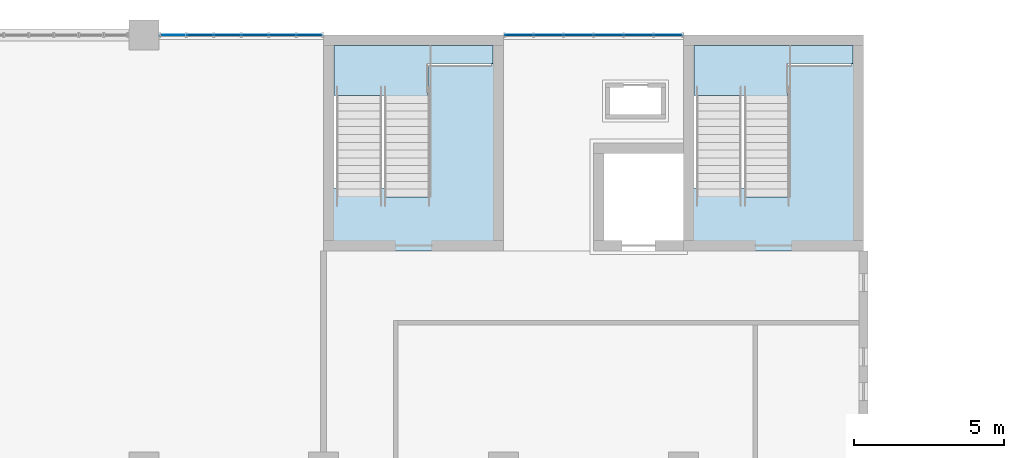
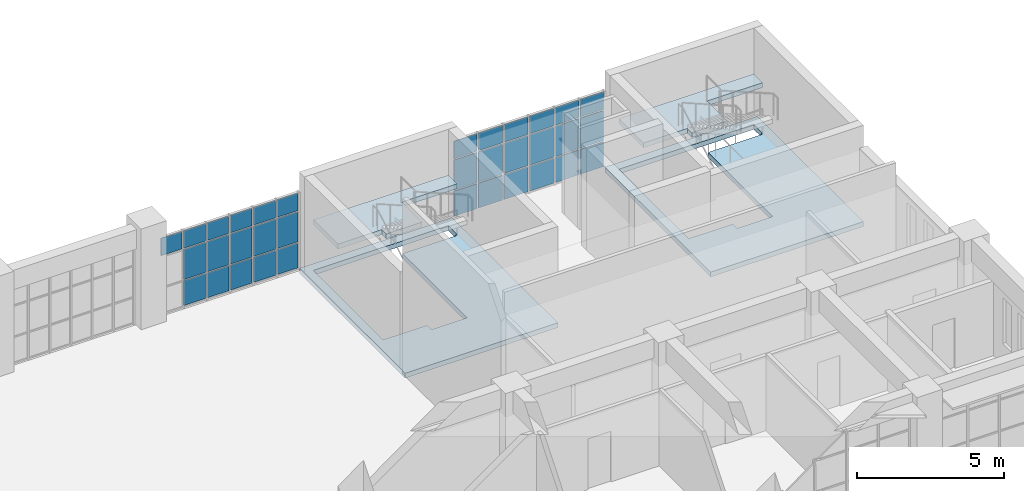
# One storey, part 58 of 92: 34 plates, 4 slabs, 4 elements without a shape of their own.
"""IFC4 building model written with IfcOpenShell, lengths in metres."""

from ifc_helpers import new_model, si_unit, direction, frame, origin, origin_2d, place, context, subcontext, project, spatial, polyline, rectangle, outline, extrude, material, layer, layer_set, type_object, element, aggregate, save


model = new_model("IFC4")

# Units and contexts
model_context = context("Model", 3, precision=1e-05, world=origin(), true_north=direction((0.0, 1.0)))
body_context = subcontext(model_context, "Body", "Model", "MODEL_VIEW")
ifc_project = project(units=[si_unit("LENGTHUNIT", "METRE"), si_unit("AREAUNIT", "SQUARE_METRE"), si_unit("VOLUMEUNIT", "CUBIC_METRE"), si_unit("PLANEANGLEUNIT", "RADIAN"), si_unit("MASSUNIT", "GRAM", prefix="KILO")], contexts=[model_context])

# Site, building, storey
site_placement = place(None, origin())
site = spatial("IfcSite", under=ifc_project, at=site_placement, CompositionType="ELEMENT")
building_placement = place(site_placement, origin())
building = spatial("IfcBuilding", under=site, at=building_placement, Name="Laocheng Heights Fire and Rescue Headquarters", CompositionType="ELEMENT")
storey_placement = place(building_placement, frame((0.0, 0.0, 12.60009765625)))
storey = spatial("IfcBuildingStorey", under=building, at=storey_placement, Name="L03", CompositionType="ELEMENT", Elevation=12.60009765625)

# Curtain wall, plates
ifc_material_1 = material(Name="Dark anodised aluminium unitised curtain wall, low-e double glazing", Category="aluminium")
curtain_wall_type_1 = type_object("IfcCurtainWallType", Name="CW 5500 x 3200 HQ CONTROL ROOM FACE", PredefinedType="NOTDEFINED", material=ifc_material_1)
curtain_wall_1_placement = place(storey_placement, origin())
curtain_wall_1 = element("IfcCurtainWall", 1, at=curtain_wall_1_placement, inside=storey, type_object=curtain_wall_type_1, Name="X22-X HQ NORTH L03", PredefinedType="NOTDEFINED")
ifc_material_2 = material(Name="Laminated safety glass, low-e double glazed unit", Category="glass")
ifc_layer_1 = layer(ifc_material_2, 0.0400390625)
ifc_layer_set_1 = layer_set([ifc_layer_1], Name="Laminated safety glass, low-e double glazed unit")
plate_type_1 = type_object("IfcPlateType", Name="CW LAMINATED SAFETY PANEL 40 X", PredefinedType="CURTAIN_PANEL", material=ifc_layer_set_1)
plate_1_placement = place(storey_placement, frame((61.875, 72.0, 0.050048828125), z_axis=(0.0, 0.0, 1.0), x_axis=(1.0, 0.0, 0.0)))
plate_1 = element("IfcPlate", 2, at=plate_1_placement, type_object=plate_type_1, Name="X22-X panel 2.1", PredefinedType="CURTAIN_PANEL", context=body_context, shape_type="SweptSolid", body=[
    extrude(rectangle(XDim=0.856689453125, YDim=0.0400390625, at=origin_2d()), origin(), (0.0, 0.0, 1.0), 1.02490234375),
])
plate_2_placement = place(storey_placement, frame((62.791748046875, 72.0, 0.050048828125), z_axis=(0.0, 0.0, 1.0), x_axis=(1.0, 0.0, 0.0)))
plate_2 = element("IfcPlate", 3, at=plate_2_placement, type_object=plate_type_1, Name="X22-X panel 3.1", PredefinedType="CURTAIN_PANEL", context=body_context, shape_type="SweptSolid", body=[
    extrude(rectangle(XDim=0.856689453125, YDim=0.0400390625, at=origin_2d()), origin(), (0.0, 0.0, 1.0), 1.02490234375),
])
plate_3_placement = place(storey_placement, frame((63.708251953125, 72.0, 0.050048828125), z_axis=(0.0, 0.0, 1.0), x_axis=(1.0, 0.0, 0.0)))
plate_3 = element("IfcPlate", 4, at=plate_3_placement, type_object=plate_type_1, Name="X22-X panel 4.1", PredefinedType="CURTAIN_PANEL", context=body_context, shape_type="SweptSolid", body=[
    extrude(rectangle(XDim=0.856689453125, YDim=0.0400390625, at=origin_2d()), origin(), (0.0, 0.0, 1.0), 1.02490234375),
])
plate_4_placement = place(storey_placement, frame((64.625, 72.0, 0.050048828125), z_axis=(0.0, 0.0, 1.0), x_axis=(1.0, 0.0, 0.0)))
plate_4 = element("IfcPlate", 5, at=plate_4_placement, type_object=plate_type_1, Name="X22-X panel 5.1", PredefinedType="CURTAIN_PANEL", context=body_context, shape_type="SweptSolid", body=[
    extrude(rectangle(XDim=0.856689453125, YDim=0.0400390625, at=origin_2d()), origin(), (0.0, 0.0, 1.0), 1.02490234375),
])
plate_5_placement = place(storey_placement, frame((65.526611328125, 72.0, 0.050048828125), z_axis=(0.0, 0.0, 1.0), x_axis=(1.0, 0.0, 0.0)))
plate_5 = element("IfcPlate", 6, at=plate_5_placement, type_object=plate_type_1, Name="X22-X panel 6.1", PredefinedType="CURTAIN_PANEL", context=body_context, shape_type="SweptSolid", body=[
    extrude(rectangle(XDim=0.82666015625, YDim=0.0400390625, at=origin_2d()), origin(), (0.0, 0.0, 1.0), 1.02490234375),
])

ifc_material_3 = material(Name="Dark anodised aluminium unitised curtain wall, low-e double glazing", Category="aluminium")
curtain_wall_type_2 = type_object("IfcCurtainWallType", Name="CW 6000 x 3200 HQ CONTROL ROOM FACE", PredefinedType="NOTDEFINED", material=ifc_material_3)
curtain_wall_2_placement = place(storey_placement, origin())
curtain_wall_2 = element("IfcCurtainWall", 7, at=curtain_wall_2_placement, inside=storey, type_object=curtain_wall_type_2, Name="X23-X HQ NORTH L03", PredefinedType="NOTDEFINED")
plate_6_placement = place(storey_placement, frame((72.514892578125, 72.0, 0.050048828125), z_axis=(0.0, 0.0, 1.0), x_axis=(1.0, 0.0, 0.0)))
plate_6 = element("IfcPlate", 8, at=plate_6_placement, type_object=plate_type_1, Name="X23-X panel 1.1", PredefinedType="CURTAIN_PANEL", context=body_context, shape_type="SweptSolid", body=[
    extrude(rectangle(XDim=0.909912109375, YDim=0.0400390625, at=origin_2d()), origin(), (0.0, 0.0, 1.0), 1.02490234375),
])
plate_7_placement = place(storey_placement, frame((73.5, 72.0, 0.050048828125), z_axis=(0.0, 0.0, 1.0), x_axis=(1.0, 0.0, 0.0)))
plate_7 = element("IfcPlate", 9, at=plate_7_placement, type_object=plate_type_1, Name="X23-X panel 2.1", PredefinedType="CURTAIN_PANEL", context=body_context, shape_type="SweptSolid", body=[
    extrude(rectangle(XDim=0.93994140625, YDim=0.0400390625, at=origin_2d()), origin(), (0.0, 0.0, 1.0), 1.02490234375),
])
plate_8_placement = place(storey_placement, frame((74.5, 72.0, 0.050048828125), z_axis=(0.0, 0.0, 1.0), x_axis=(1.0, 0.0, 0.0)))
plate_8 = element("IfcPlate", 10, at=plate_8_placement, type_object=plate_type_1, Name="X23-X panel 3.1", PredefinedType="CURTAIN_PANEL", context=body_context, shape_type="SweptSolid", body=[
    extrude(rectangle(XDim=0.93994140625, YDim=0.0400390625, at=origin_2d()), origin(), (0.0, 0.0, 1.0), 1.02490234375),
])
plate_9_placement = place(storey_placement, frame((75.5, 72.0, 0.050048828125), z_axis=(0.0, 0.0, 1.0), x_axis=(1.0, 0.0, 0.0)))
plate_9 = element("IfcPlate", 11, at=plate_9_placement, type_object=plate_type_1, Name="X23-X panel 4.1", PredefinedType="CURTAIN_PANEL", context=body_context, shape_type="SweptSolid", body=[
    extrude(rectangle(XDim=0.93994140625, YDim=0.0400390625, at=origin_2d()), origin(), (0.0, 0.0, 1.0), 1.02490234375),
])
plate_10_placement = place(storey_placement, frame((76.5, 72.0, 0.050048828125), z_axis=(0.0, 0.0, 1.0), x_axis=(1.0, 0.0, 0.0)))
plate_10 = element("IfcPlate", 12, at=plate_10_placement, type_object=plate_type_1, Name="X23-X panel 5.1", PredefinedType="CURTAIN_PANEL", context=body_context, shape_type="SweptSolid", body=[
    extrude(rectangle(XDim=0.93994140625, YDim=0.0400390625, at=origin_2d()), origin(), (0.0, 0.0, 1.0), 1.02490234375),
])
plate_11_placement = place(storey_placement, frame((77.485107421875, 72.0, 0.050048828125), z_axis=(0.0, 0.0, 1.0), x_axis=(1.0, 0.0, 0.0)))
plate_11 = element("IfcPlate", 13, at=plate_11_placement, type_object=plate_type_1, Name="X23-X panel 6.1", PredefinedType="CURTAIN_PANEL", context=body_context, shape_type="SweptSolid", body=[
    extrude(rectangle(XDim=0.909912109375, YDim=0.0400390625, at=origin_2d()), origin(), (0.0, 0.0, 1.0), 1.02490234375),
])

# Plate
ifc_material_4 = material(Name="Low-e double glazed unit, laminated inner pane")
ifc_layer_2 = layer(ifc_material_4, 0.028076171875)
ifc_layer_set_2 = layer_set([ifc_layer_2], Name="Low-e double glazed unit, laminated inner pane")
plate_type_2 = type_object("IfcPlateType", Name="CW VISION PANEL 28 X", PredefinedType="CURTAIN_PANEL", material=ifc_layer_set_2)
plate_12_placement = place(storey_placement, frame((60.973388671875, 72.0, 2.4248046875), z_axis=(0.0, 0.0, 1.0), x_axis=(1.0, 0.0, 0.0)))
plate_12 = element("IfcPlate", 14, at=plate_12_placement, type_object=plate_type_2, Name="X22-X panel 1.3", PredefinedType="CURTAIN_PANEL", context=body_context, shape_type="SweptSolid", body=[
    extrude(rectangle(XDim=0.82666015625, YDim=0.028076171875, at=origin_2d()), origin(), (0.0, 0.0, 1.0), 0.72509765625),
])

plate_13_placement = place(storey_placement, frame((61.875, 72.0, 1.125), z_axis=(0.0, 0.0, 1.0), x_axis=(1.0, 0.0, 0.0)))
plate_13 = element("IfcPlate", 15, at=plate_13_placement, type_object=plate_type_2, Name="X22-X panel 2.2", PredefinedType="CURTAIN_PANEL", context=body_context, shape_type="SweptSolid", body=[
    extrude(rectangle(XDim=0.856689453125, YDim=0.028076171875, at=origin_2d()), origin(), (0.0, 0.0, 1.0), 1.25),
])

plate_14_placement = place(storey_placement, frame((61.875, 72.0, 2.4248046875), z_axis=(0.0, 0.0, 1.0), x_axis=(1.0, 0.0, 0.0)))
plate_14 = element("IfcPlate", 16, at=plate_14_placement, type_object=plate_type_2, Name="X22-X panel 2.3", PredefinedType="CURTAIN_PANEL", context=body_context, shape_type="SweptSolid", body=[
    extrude(rectangle(XDim=0.856689453125, YDim=0.028076171875, at=origin_2d()), origin(), (0.0, 0.0, 1.0), 0.72509765625),
])

plate_15_placement = place(storey_placement, frame((62.791748046875, 72.0, 1.125), z_axis=(0.0, 0.0, 1.0), x_axis=(1.0, 0.0, 0.0)))
plate_15 = element("IfcPlate", 17, at=plate_15_placement, type_object=plate_type_2, Name="X22-X panel 3.2", PredefinedType="CURTAIN_PANEL", context=body_context, shape_type="SweptSolid", body=[
    extrude(rectangle(XDim=0.856689453125, YDim=0.028076171875, at=origin_2d()), origin(), (0.0, 0.0, 1.0), 1.25),
])

plate_16_placement = place(storey_placement, frame((62.791748046875, 72.0, 2.4248046875), z_axis=(0.0, 0.0, 1.0), x_axis=(1.0, 0.0, 0.0)))
plate_16 = element("IfcPlate", 18, at=plate_16_placement, type_object=plate_type_2, Name="X22-X panel 3.3", PredefinedType="CURTAIN_PANEL", context=body_context, shape_type="SweptSolid", body=[
    extrude(rectangle(XDim=0.856689453125, YDim=0.028076171875, at=origin_2d()), origin(), (0.0, 0.0, 1.0), 0.72509765625),
])

plate_17_placement = place(storey_placement, frame((63.708251953125, 72.0, 1.125), z_axis=(0.0, 0.0, 1.0), x_axis=(1.0, 0.0, 0.0)))
plate_17 = element("IfcPlate", 19, at=plate_17_placement, type_object=plate_type_2, Name="X22-X panel 4.2", PredefinedType="CURTAIN_PANEL", context=body_context, shape_type="SweptSolid", body=[
    extrude(rectangle(XDim=0.856689453125, YDim=0.028076171875, at=origin_2d()), origin(), (0.0, 0.0, 1.0), 1.25),
])

plate_18_placement = place(storey_placement, frame((63.708251953125, 72.0, 2.4248046875), z_axis=(0.0, 0.0, 1.0), x_axis=(1.0, 0.0, 0.0)))
plate_18 = element("IfcPlate", 20, at=plate_18_placement, type_object=plate_type_2, Name="X22-X panel 4.3", PredefinedType="CURTAIN_PANEL", context=body_context, shape_type="SweptSolid", body=[
    extrude(rectangle(XDim=0.856689453125, YDim=0.028076171875, at=origin_2d()), origin(), (0.0, 0.0, 1.0), 0.72509765625),
])

plate_19_placement = place(storey_placement, frame((64.625, 72.0, 1.125), z_axis=(0.0, 0.0, 1.0), x_axis=(1.0, 0.0, 0.0)))
plate_19 = element("IfcPlate", 21, at=plate_19_placement, type_object=plate_type_2, Name="X22-X panel 5.2", PredefinedType="CURTAIN_PANEL", context=body_context, shape_type="SweptSolid", body=[
    extrude(rectangle(XDim=0.856689453125, YDim=0.028076171875, at=origin_2d()), origin(), (0.0, 0.0, 1.0), 1.25),
])

plate_20_placement = place(storey_placement, frame((64.625, 72.0, 2.4248046875), z_axis=(0.0, 0.0, 1.0), x_axis=(1.0, 0.0, 0.0)))
plate_20 = element("IfcPlate", 22, at=plate_20_placement, type_object=plate_type_2, Name="X22-X panel 5.3", PredefinedType="CURTAIN_PANEL", context=body_context, shape_type="SweptSolid", body=[
    extrude(rectangle(XDim=0.856689453125, YDim=0.028076171875, at=origin_2d()), origin(), (0.0, 0.0, 1.0), 0.72509765625),
])

plate_21_placement = place(storey_placement, frame((65.526611328125, 72.0, 1.125), z_axis=(0.0, 0.0, 1.0), x_axis=(1.0, 0.0, 0.0)))
plate_21 = element("IfcPlate", 23, at=plate_21_placement, type_object=plate_type_2, Name="X22-X panel 6.2", PredefinedType="CURTAIN_PANEL", context=body_context, shape_type="SweptSolid", body=[
    extrude(rectangle(XDim=0.82666015625, YDim=0.028076171875, at=origin_2d()), origin(), (0.0, 0.0, 1.0), 1.25),
])

plate_22_placement = place(storey_placement, frame((65.526611328125, 72.0, 2.4248046875), z_axis=(0.0, 0.0, 1.0), x_axis=(1.0, 0.0, 0.0)))
plate_22 = element("IfcPlate", 24, at=plate_22_placement, type_object=plate_type_2, Name="X22-X panel 6.3", PredefinedType="CURTAIN_PANEL", context=body_context, shape_type="SweptSolid", body=[
    extrude(rectangle(XDim=0.82666015625, YDim=0.028076171875, at=origin_2d()), origin(), (0.0, 0.0, 1.0), 0.72509765625),
])

aggregate(curtain_wall_1, [plate_12, plate_1, plate_13, plate_14, plate_2, plate_15, plate_16, plate_3, plate_17, plate_18, plate_4, plate_19, plate_20, plate_5, plate_21, plate_22])

plate_23_placement = place(storey_placement, frame((72.514892578125, 72.0, 1.125), z_axis=(0.0, 0.0, 1.0), x_axis=(1.0, 0.0, 0.0)))
plate_23 = element("IfcPlate", 25, at=plate_23_placement, type_object=plate_type_2, Name="X23-X panel 1.2", PredefinedType="CURTAIN_PANEL", context=body_context, shape_type="SweptSolid", body=[
    extrude(rectangle(XDim=0.909912109375, YDim=0.028076171875, at=origin_2d()), origin(), (0.0, 0.0, 1.0), 1.25),
])

plate_24_placement = place(storey_placement, frame((72.514892578125, 72.0, 2.4248046875), z_axis=(0.0, 0.0, 1.0), x_axis=(1.0, 0.0, 0.0)))
plate_24 = element("IfcPlate", 26, at=plate_24_placement, type_object=plate_type_2, Name="X23-X panel 1.3", PredefinedType="CURTAIN_PANEL", context=body_context, shape_type="SweptSolid", body=[
    extrude(rectangle(XDim=0.909912109375, YDim=0.028076171875, at=origin_2d()), origin(), (0.0, 0.0, 1.0), 0.72509765625),
])

plate_25_placement = place(storey_placement, frame((73.5, 72.0, 1.125), z_axis=(0.0, 0.0, 1.0), x_axis=(1.0, 0.0, 0.0)))
plate_25 = element("IfcPlate", 27, at=plate_25_placement, type_object=plate_type_2, Name="X23-X panel 2.2", PredefinedType="CURTAIN_PANEL", context=body_context, shape_type="SweptSolid", body=[
    extrude(rectangle(XDim=0.93994140625, YDim=0.028076171875, at=origin_2d()), origin(), (0.0, 0.0, 1.0), 1.25),
])

plate_26_placement = place(storey_placement, frame((73.5, 72.0, 2.4248046875), z_axis=(0.0, 0.0, 1.0), x_axis=(1.0, 0.0, 0.0)))
plate_26 = element("IfcPlate", 28, at=plate_26_placement, type_object=plate_type_2, Name="X23-X panel 2.3", PredefinedType="CURTAIN_PANEL", context=body_context, shape_type="SweptSolid", body=[
    extrude(rectangle(XDim=0.93994140625, YDim=0.028076171875, at=origin_2d()), origin(), (0.0, 0.0, 1.0), 0.72509765625),
])

plate_27_placement = place(storey_placement, frame((74.5, 72.0, 1.125), z_axis=(0.0, 0.0, 1.0), x_axis=(1.0, 0.0, 0.0)))
plate_27 = element("IfcPlate", 29, at=plate_27_placement, type_object=plate_type_2, Name="X23-X panel 3.2", PredefinedType="CURTAIN_PANEL", context=body_context, shape_type="SweptSolid", body=[
    extrude(rectangle(XDim=0.93994140625, YDim=0.028076171875, at=origin_2d()), origin(), (0.0, 0.0, 1.0), 1.25),
])

plate_28_placement = place(storey_placement, frame((74.5, 72.0, 2.4248046875), z_axis=(0.0, 0.0, 1.0), x_axis=(1.0, 0.0, 0.0)))
plate_28 = element("IfcPlate", 30, at=plate_28_placement, type_object=plate_type_2, Name="X23-X panel 3.3", PredefinedType="CURTAIN_PANEL", context=body_context, shape_type="SweptSolid", body=[
    extrude(rectangle(XDim=0.93994140625, YDim=0.028076171875, at=origin_2d()), origin(), (0.0, 0.0, 1.0), 0.72509765625),
])

plate_29_placement = place(storey_placement, frame((75.5, 72.0, 1.125), z_axis=(0.0, 0.0, 1.0), x_axis=(1.0, 0.0, 0.0)))
plate_29 = element("IfcPlate", 31, at=plate_29_placement, type_object=plate_type_2, Name="X23-X panel 4.2", PredefinedType="CURTAIN_PANEL", context=body_context, shape_type="SweptSolid", body=[
    extrude(rectangle(XDim=0.93994140625, YDim=0.028076171875, at=origin_2d()), origin(), (0.0, 0.0, 1.0), 1.25),
])

plate_30_placement = place(storey_placement, frame((75.5, 72.0, 2.4248046875), z_axis=(0.0, 0.0, 1.0), x_axis=(1.0, 0.0, 0.0)))
plate_30 = element("IfcPlate", 32, at=plate_30_placement, type_object=plate_type_2, Name="X23-X panel 4.3", PredefinedType="CURTAIN_PANEL", context=body_context, shape_type="SweptSolid", body=[
    extrude(rectangle(XDim=0.93994140625, YDim=0.028076171875, at=origin_2d()), origin(), (0.0, 0.0, 1.0), 0.72509765625),
])

plate_31_placement = place(storey_placement, frame((76.5, 72.0, 1.125), z_axis=(0.0, 0.0, 1.0), x_axis=(1.0, 0.0, 0.0)))
plate_31 = element("IfcPlate", 33, at=plate_31_placement, type_object=plate_type_2, Name="X23-X panel 5.2", PredefinedType="CURTAIN_PANEL", context=body_context, shape_type="SweptSolid", body=[
    extrude(rectangle(XDim=0.93994140625, YDim=0.028076171875, at=origin_2d()), origin(), (0.0, 0.0, 1.0), 1.25),
])

plate_32_placement = place(storey_placement, frame((76.5, 72.0, 2.4248046875), z_axis=(0.0, 0.0, 1.0), x_axis=(1.0, 0.0, 0.0)))
plate_32 = element("IfcPlate", 34, at=plate_32_placement, type_object=plate_type_2, Name="X23-X panel 5.3", PredefinedType="CURTAIN_PANEL", context=body_context, shape_type="SweptSolid", body=[
    extrude(rectangle(XDim=0.93994140625, YDim=0.028076171875, at=origin_2d()), origin(), (0.0, 0.0, 1.0), 0.72509765625),
])

plate_33_placement = place(storey_placement, frame((77.485107421875, 72.0, 1.125), z_axis=(0.0, 0.0, 1.0), x_axis=(1.0, 0.0, 0.0)))
plate_33 = element("IfcPlate", 35, at=plate_33_placement, type_object=plate_type_2, Name="X23-X panel 6.2", PredefinedType="CURTAIN_PANEL", context=body_context, shape_type="SweptSolid", body=[
    extrude(rectangle(XDim=0.909912109375, YDim=0.028076171875, at=origin_2d()), origin(), (0.0, 0.0, 1.0), 1.25),
])

plate_34_placement = place(storey_placement, frame((77.485107421875, 72.0, 2.4248046875), z_axis=(0.0, 0.0, 1.0), x_axis=(1.0, 0.0, 0.0)))
plate_34 = element("IfcPlate", 36, at=plate_34_placement, type_object=plate_type_2, Name="X23-X panel 6.3", PredefinedType="CURTAIN_PANEL", context=body_context, shape_type="SweptSolid", body=[
    extrude(rectangle(XDim=0.909912109375, YDim=0.028076171875, at=origin_2d()), origin(), (0.0, 0.0, 1.0), 0.72509765625),
])

aggregate(curtain_wall_2, [plate_6, plate_23, plate_24, plate_7, plate_25, plate_26, plate_8, plate_27, plate_28, plate_9, plate_29, plate_30, plate_10, plate_31, plate_32, plate_11, plate_33, plate_34])

# Stair, slab
ifc_material_5 = material(Name="Concrete C40", Category="concrete")
stair_type = type_object("IfcStairType", Name="RC STAIR 1400 TWO FLIGHTS 28 RISERS OF 150 GOING 260", PredefinedType="HALF_TURN_STAIR", material=ifc_material_5)
stair_1_placement = place(storey_placement, origin())
stair_1 = element("IfcStair", 37, at=stair_1_placement, inside=storey, type_object=stair_type, Name="Stair H2 (L03 to L04)", PredefinedType="HALF_TURN_STAIR")
ifc_material_6 = material(Name="Concrete C40", Category="concrete")
ifc_layer_3 = layer(ifc_material_6, 0.199951171875)
ifc_layer_set_3 = layer_set([ifc_layer_3], Name="Concrete C40")
slab_type_1 = type_object("IfcSlabType", Name="STAIR FLOOR LANDING 200", PredefinedType="LANDING", material=ifc_layer_set_3)
slab_1_placement = place(storey_placement, frame((0.0, 0.0, -0.2001953125)))
slab_1 = element("IfcSlab", 38, at=slab_1_placement, type_object=slab_type_1, Name="Stair H2 floor landing L03", PredefinedType="LANDING", context=body_context, shape_type="SweptSolid", body=[
    extrude(outline(polyline([(78.0, 72.0), (84.0, 72.0), (84.0, 64.800048828125), (78.0, 64.800048828125), (78.0, 72.0)]), holes=[polyline([(80.074951171875, 66.900146484375), (80.074951171875, 66.60302734375), (81.47509765625, 66.60302734375), (81.47509765625, 69.679931640625), (81.47509765625, 71.0), (83.60009765625, 71.0), (83.60009765625, 71.050048828125), (83.64990234375, 71.050048828125), (83.64990234375, 71.64990234375), (81.47509765625, 71.64990234375), (80.074951171875, 71.64990234375), (78.35009765625, 71.64990234375), (78.35009765625, 69.97705078125), (78.35009765625, 66.900146484375), (80.074951171875, 66.900146484375)])]), origin(), (0.0, 0.0, 1.0), 0.2001953125),
])

stair_2_placement = place(storey_placement, origin())
stair_2 = element("IfcStair", 39, at=stair_2_placement, inside=storey, type_object=stair_type, Name="Stair H3 (L03 to L04)", PredefinedType="HALF_TURN_STAIR")
slab_2_placement = place(storey_placement, frame((0.0, 0.0, -0.2001953125)))
slab_2 = element("IfcSlab", 40, at=slab_2_placement, type_object=slab_type_1, Name="Stair H3 floor landing L03", PredefinedType="LANDING", context=body_context, shape_type="SweptSolid", body=[
    extrude(outline(polyline([(66.0, 72.0), (72.0, 72.0), (72.0, 64.800048828125), (66.0, 64.800048828125), (66.0, 72.0)]), holes=[polyline([(68.074951171875, 66.900146484375), (68.074951171875, 66.60302734375), (69.47509765625, 66.60302734375), (69.47509765625, 69.679931640625), (69.47509765625, 71.0), (71.60009765625, 71.0), (71.60009765625, 71.050048828125), (71.64990234375, 71.050048828125), (71.64990234375, 71.64990234375), (69.47509765625, 71.64990234375), (68.074951171875, 71.64990234375), (66.35009765625, 71.64990234375), (66.35009765625, 69.97705078125), (66.35009765625, 66.900146484375), (68.074951171875, 66.900146484375)])]), origin(), (0.0, 0.0, 1.0), 0.2001953125),
])

# Slab
ifc_material_7 = material(Name="Concrete C40", Category="concrete")
ifc_layer_4 = layer(ifc_material_7, 0.201904296875)
ifc_layer_set_4 = layer_set([ifc_layer_4], Name="Concrete C40")
slab_type_2 = type_object("IfcSlabType", Name="STAIR HALF LANDING 202", PredefinedType="LANDING", material=ifc_layer_set_4)
slab_3_placement = place(storey_placement, frame((0.0, 0.0, 1.89990234375)))
slab_3 = element("IfcSlab", 41, at=slab_3_placement, type_object=slab_type_2, Name="H2-L03 landing 1", PredefinedType="LANDING", context=body_context, shape_type="SweptSolid", body=[
    extrude(outline(polyline([(83.64990234375, 71.050048828125), (83.64990234375, 71.64990234375), (81.47509765625, 71.64990234375), (80.074951171875, 71.64990234375), (78.35009765625, 71.64990234375), (78.35009765625, 69.97705078125), (80.074951171875, 69.97705078125), (80.074951171875, 69.679931640625), (81.47509765625, 69.679931640625), (81.47509765625, 71.050048828125), (83.64990234375, 71.050048828125)])), origin(), (0.0, 0.0, 1.0), 0.201904296875),
])

aggregate(stair_1, [slab_3, slab_1])

slab_4_placement = place(storey_placement, frame((0.0, 0.0, 1.89990234375)))
slab_4 = element("IfcSlab", 42, at=slab_4_placement, type_object=slab_type_2, Name="H3-L03 landing 1", PredefinedType="LANDING", context=body_context, shape_type="SweptSolid", body=[
    extrude(outline(polyline([(71.64990234375, 71.050048828125), (71.64990234375, 71.64990234375), (69.47509765625, 71.64990234375), (68.074951171875, 71.64990234375), (66.35009765625, 71.64990234375), (66.35009765625, 69.97705078125), (68.074951171875, 69.97705078125), (68.074951171875, 69.679931640625), (69.47509765625, 69.679931640625), (69.47509765625, 71.050048828125), (71.64990234375, 71.050048828125)])), origin(), (0.0, 0.0, 1.0), 0.201904296875),
])

aggregate(stair_2, [slab_4, slab_2])

save(model, "model.ifc")
